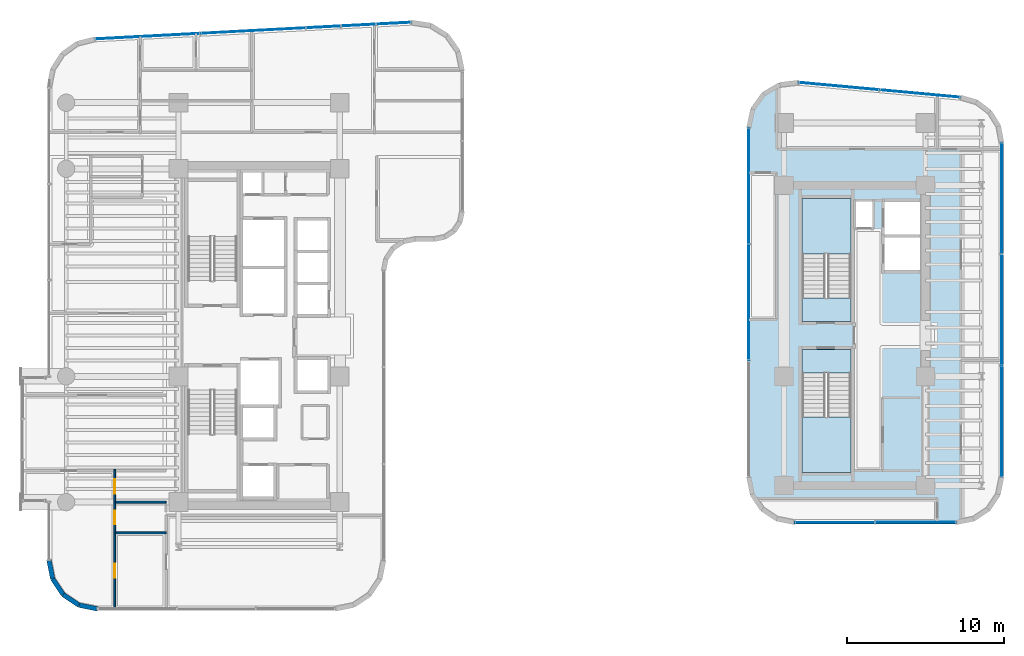
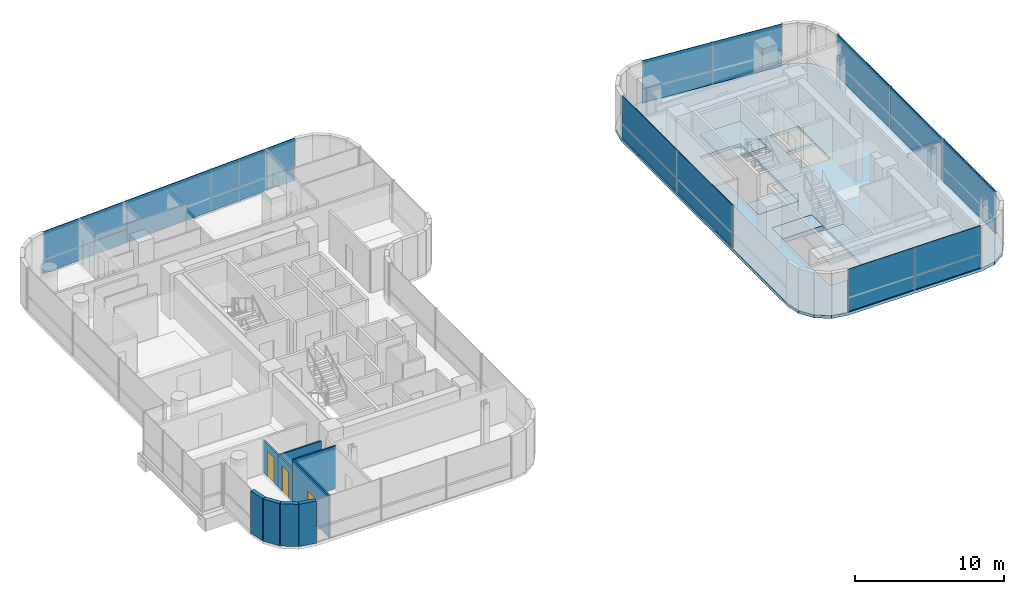
# One storey, part 25 of 34: 23 plates, 9 walls, 5 slabs, 3 doors, 3 openings, 7 elements without a shape of their own.
"""IFC4 building model written with IfcOpenShell, lengths in metres."""

from ifc_helpers import new_model, si_unit, direction, frame, frame_2d, origin, origin_2d, place, context, subcontext, project, spatial, polyline, rectangle, outline, extrude, source, transform, mapped, material, layer, layer_set, type_object, element, fill, aggregate, save


model = new_model("IFC4")

# Units and contexts
model_context = context("Model", 3, precision=1e-05, world=origin(), true_north=direction((0.0, 1.0)))
body_context = subcontext(model_context, "Body", "Model", "MODEL_VIEW")
ifc_project = project(units=[si_unit("LENGTHUNIT", "METRE"), si_unit("AREAUNIT", "SQUARE_METRE"), si_unit("VOLUMEUNIT", "CUBIC_METRE"), si_unit("PLANEANGLEUNIT", "RADIAN"), si_unit("MASSUNIT", "GRAM", prefix="KILO")], contexts=[model_context])

# Site, building, storey
site_placement = place(None, origin())
site = spatial("IfcSite", under=ifc_project, at=site_placement, CompositionType="ELEMENT")
building_placement = place(site_placement, origin())
building = spatial("IfcBuilding", under=site, at=building_placement, Name="Valdorenza Pilgrim Sanctuary Tower", CompositionType="ELEMENT")
storey_placement = place(building_placement, frame((0.0, 0.0, 164.89990234375)))
storey = spatial("IfcBuildingStorey", under=building, at=storey_placement, Name="L42", CompositionType="ELEMENT", Elevation=164.89990234375)

# Slab
ifc_material_1 = material(Name="Concrete C40/50", Category="concrete")
ifc_layer_1 = layer(ifc_material_1, 0.239990234375, Name="Concrete C40/50")
ifc_layer_set_1 = layer_set([ifc_layer_1], Name="Concrete C40/50")
slab_type_1 = type_object("IfcSlabType", Name="SLAB-FLR-220", PredefinedType="FLOOR", material=ifc_layer_set_1)
slab_1_placement = place(storey_placement, frame((0.0, 0.0, -0.239990234375)))
element("IfcSlab", 1, at=slab_1_placement, inside=storey, type_object=slab_type_1, Name="L42 Structural Floor Slab 2", PredefinedType="FLOOR", context=body_context, shape_type="SweptSolid", body=[
    extrude(outline(polyline([(13.5, 13.211181640625), (13.75537109375, 14.422607421875), (14.478271484375, 15.427490234375), (15.54541015625, 16.055419921875), (16.77490234375, 16.198486328125), (27.074951171875, 15.250732421875), (28.135986328125, 14.949462890625), (29.016357421875, 14.28515625), (29.59716796875, 13.34765625), (29.800048828125, 12.263427734375), (29.800048828125, -9.0), (29.571533203125, -10.148193359375), (28.92138671875, -11.121337890625), (27.947998046875, -11.771484375), (26.800048828125, -12.0), (16.5, -12.0), (15.351806640625, -11.771484375), (14.378662109375, -11.121337890625), (13.728515625, -10.148193359375), (13.5, -9.0), (13.5, 13.211181640625)]), holes=[polyline([(17.0, -8.699951171875), (20.110107421875, -8.699951171875), (20.110107421875, -2.385009765625), (20.110107421875, -0.89990234375), (17.0, -0.89990234375), (17.0, -2.385009765625), (17.0, -8.699951171875)]), polyline([(17.0, 0.89990234375), (20.110107421875, 0.89990234375), (20.110107421875, 2.385009765625), (20.110107421875, 8.699951171875), (17.0, 8.699951171875), (17.0, 2.385009765625), (17.0, 0.89990234375)]), polyline([(22.25, 4.14990234375), (24.47998046875, 4.14990234375), (24.47998046875, 6.22509765625), (22.25, 6.22509765625), (22.25, 4.14990234375)]), polyline([(22.25, 6.425048828125), (24.47998046875, 6.425048828125), (24.47998046875, 8.5), (22.25, 8.5), (22.25, 6.425048828125)]), polyline([(20.409912109375, 6.860107421875), (21.489990234375, 6.860107421875), (21.489990234375, 8.52001953125), (20.409912109375, 8.52001953125), (20.409912109375, 6.860107421875)])]), origin(), (0.0, 0.0, 1.0), 0.239990234375),
])

# Stair, slab
stair_type = type_object("IfcStairType", Name="STR-DOG-CORE", PredefinedType="HALF_TURN_STAIR", material=ifc_material_1)
stair_1_placement = place(storey_placement, origin())
stair_1 = element("IfcStair", 2, at=stair_1_placement, inside=storey, type_object=stair_type, Name="L42 ST-B1", PredefinedType="HALF_TURN_STAIR")
ifc_layer_2 = layer(ifc_material_1, 0.199951171875, Name="Concrete C40/50")
ifc_layer_set_2 = layer_set([ifc_layer_2], Name="Concrete C40/50")
slab_type_2 = type_object("IfcSlabType", Name="SLAB-STL-200", PredefinedType="LANDING", material=ifc_layer_set_2)
slab_2_placement = place(storey_placement, frame((0.0, 0.0, 1.650146484375)))
slab_2 = element("IfcSlab", 3, at=slab_2_placement, type_object=slab_type_2, Name="ST-B1 landing 1", PredefinedType="LANDING", context=body_context, shape_type="SweptSolid", body=[
    extrude(outline(polyline([(20.110107421875, 5.179931640625), (20.110107421875, 8.699951171875), (17.0, 8.699951171875), (17.0, 5.179931640625), (20.110107421875, 5.179931640625)])), origin(), (0.0, 0.0, 1.0), 0.199951171875),
])
aggregate(stair_1, [slab_2])

stair_2_placement = place(storey_placement, origin())
stair_2 = element("IfcStair", 4, at=stair_2_placement, inside=storey, type_object=stair_type, Name="L42 ST-B2", PredefinedType="HALF_TURN_STAIR")
slab_3_placement = place(storey_placement, frame((0.0, 0.0, 1.650146484375)))
slab_3 = element("IfcSlab", 5, at=slab_3_placement, type_object=slab_type_2, Name="ST-B2 landing 1", PredefinedType="LANDING", context=body_context, shape_type="SweptSolid", body=[
    extrude(outline(polyline([(17.0, -5.179931640625), (17.0, -8.699951171875), (20.110107421875, -8.699951171875), (20.110107421875, -5.179931640625), (17.0, -5.179931640625)])), origin(), (0.0, 0.0, 1.0), 0.199951171875),
])
aggregate(stair_2, [slab_3])

# Slabs
ifc_material_2 = material(Name="Concrete C50/60", Category="concrete")
ifc_layer_3 = layer(ifc_material_2, 0.39990234375, Name="Concrete C50/60")
ifc_layer_set_3 = layer_set([ifc_layer_3], Name="Concrete C50/60")
slab_type_3 = type_object("IfcSlabType", Name="SLAB-TRF-400", PredefinedType="FLOOR", material=ifc_layer_set_3)
slab_4_placement = place(storey_placement, frame((0.0, 0.0, -0.35986328125)))
element("IfcSlab", 6, at=slab_4_placement, inside=storey, type_object=slab_type_3, Name="L42 ST-B1 Structural Stair Landing Bearing Slab", PredefinedType="FLOOR", context=body_context, shape_type="SweptSolid", body=[
    extrude(outline(polyline([(17.0, 0.89990234375), (20.110107421875, 0.89990234375), (20.110107421875, 2.385009765625), (17.0, 2.385009765625), (17.0, 0.89990234375)])), origin(), (0.0, 0.0, 1.0), 0.35986328125),
])
slab_5_placement = place(storey_placement, frame((0.0, 0.0, -0.35986328125)))
element("IfcSlab", 7, at=slab_5_placement, inside=storey, type_object=slab_type_3, Name="L42 ST-B2 Structural Stair Landing Bearing Slab", PredefinedType="FLOOR", context=body_context, shape_type="SweptSolid", body=[
    extrude(outline(polyline([(17.0, -2.385009765625), (20.110107421875, -2.385009765625), (20.110107421875, -0.89990234375), (17.0, -0.89990234375), (17.0, -2.385009765625)])), origin(), (0.0, 0.0, 1.0), 0.35986328125),
])

# Curtain wall, plates
ifc_material_3 = material(Name="Curtain-wall IGU glazing", Category="glass")
curtain_wall_type_1 = type_object("IfcCurtainWallType", Name="CW-SYS-02", PredefinedType="NOTDEFINED", material=ifc_material_3)
curtain_wall_1_placement = place(storey_placement, origin())
curtain_wall_1 = element("IfcCurtainWall", 8, at=curtain_wall_1_placement, inside=storey, type_object=curtain_wall_type_1, Name="L42 Curtain Wall CW-L42-1-6", PredefinedType="NOTDEFINED")
ifc_material_4 = material(Name="Honed travertine limestone", Category="masonry")
ifc_layer_4 = layer(ifc_material_4, 0.050048828125, Name="Honed travertine limestone")
ifc_layer_set_4 = layer_set([ifc_layer_4], Name="Honed travertine limestone")
plate_type_1 = type_object("IfcPlateType", Name="CW-SPN-TRV", PredefinedType="USERDEFINED", material=ifc_layer_set_4)
shared_shape_1 = source(origin(), body_context, "Body", "SweptSolid", [
    extrude(rectangle(XDim=6.68212890625, YDim=0.06005859375, at=origin_2d()), origin(), (0.0, 0.0, 1.0), 1.10009765625),
])
plate_1_placement = place(storey_placement, frame((-24.606201171875, 19.027587890625, 0.010009765625), z_axis=(0.0, 0.0, 1.0), x_axis=(0.998607524712, 0.052754256601, 0.0)))
plate_1 = element("IfcPlate", 9, at=plate_1_placement, type_object=plate_type_1, Name="CW-L42-1-6 Travertine Spandrel 1", ObjectType="SPANDREL", PredefinedType="USERDEFINED", context=body_context, shape_type="MappedRepresentation", body=[
    mapped(shared_shape_1, transform((0.0, 0.0, 0.0), x_axis=(1.0, 0.0, 0.0), y_axis=(0.0, 1.0, 0.0), z_axis=(0.0, 0.0, 1.0), scale=1.0)),
])
ifc_material_5 = material(Name="Ceramic-fritted low-E IGU glazing", Category="glass")
ifc_layer_5 = layer(ifc_material_5, 0.035888671875, Name="Ceramic-fritted low-E IGU glazing")
ifc_layer_set_5 = layer_set([ifc_layer_5], Name="Ceramic-fritted low-E IGU glazing")
plate_type_2 = type_object("IfcPlateType", Name="CW-GLZ-IGU", PredefinedType="USERDEFINED", material=ifc_layer_set_5)
shared_shape_2 = source(origin(), body_context, "Body", "SweptSolid", [
    extrude(rectangle(XDim=6.68212890625, YDim=0.050048828125, at=origin_2d()), origin(), (0.0, 0.0, 1.0), 2.320068359375),
])
plate_2_placement = place(storey_placement, frame((-24.606201171875, 19.027587890625, 1.1298828125), z_axis=(0.0, 0.0, 1.0), x_axis=(0.998607524712, 0.052754256601, 0.0)))
plate_2 = element("IfcPlate", 10, at=plate_2_placement, type_object=plate_type_2, Name="CW-L42-1-6 Facade Panel 1", ObjectType="GLAZING", PredefinedType="USERDEFINED", context=body_context, shape_type="MappedRepresentation", body=[
    mapped(shared_shape_2, transform((0.0, 0.0, 0.0), x_axis=(1.0, 0.0, 0.0), y_axis=(0.0, 1.0, 0.0), z_axis=(0.0, 0.0, 1.0), scale=1.0)),
])
shared_shape_3 = source(origin(), body_context, "Body", "SweptSolid", [
    extrude(rectangle(XDim=6.68212890625, YDim=0.050048828125, at=origin_2d()), origin(), (0.0, 0.0, 1.0), 3.43994140625),
])
plate_3_placement = place(storey_placement, frame((-17.913330078125, 19.381103515625, 0.010009765625), z_axis=(0.0, 0.0, 1.0), x_axis=(0.998607524712, 0.052754256601, 0.0)))
plate_3 = element("IfcPlate", 11, at=plate_3_placement, type_object=plate_type_2, Name="CW-L42-1-6 Full-Height Facade Panel 2", ObjectType="GLAZING", PredefinedType="USERDEFINED", context=body_context, shape_type="MappedRepresentation", body=[
    mapped(shared_shape_3, transform((0.0, 0.0, 0.0), x_axis=(1.0, 0.0, 0.0), y_axis=(0.0, 1.0, 0.0), z_axis=(0.0, 0.0, 1.0), scale=1.0)),
])

curtain_wall_type_2 = type_object("IfcCurtainWallType", Name="CW-SYS-03", PredefinedType="NOTDEFINED", material=ifc_material_3)
curtain_wall_2_placement = place(storey_placement, origin())
curtain_wall_2 = element("IfcCurtainWall", 12, at=curtain_wall_2_placement, inside=storey, type_object=curtain_wall_type_2, Name="L42 Curtain Wall CW-L42-2-1", PredefinedType="NOTDEFINED")
shared_shape_4 = source(origin(), body_context, "Body", "SweptSolid", [
    extrude(rectangle(XDim=7.376220703125, YDim=0.06005859375, at=origin_2d()), origin(), (0.0, 0.0, 1.0), 1.10009765625),
])
plate_4_placement = place(storey_placement, frame((13.610107421875, 9.501708984375, 0.010009765625), z_axis=(0.0, 0.0, 1.0), x_axis=(0.0, 1.0, 0.0)))
plate_4 = element("IfcPlate", 13, at=plate_4_placement, type_object=plate_type_1, Name="CW-L42-2-1 Travertine Spandrel 3", ObjectType="SPANDREL", PredefinedType="USERDEFINED", context=body_context, shape_type="MappedRepresentation", body=[
    mapped(shared_shape_4, transform((0.0, 0.0, 0.0), x_axis=(1.0, 0.0, 0.0), y_axis=(0.0, 1.0, 0.0), z_axis=(0.0, 0.0, 1.0), scale=1.0)),
])
shared_shape_5 = source(origin(), body_context, "Body", "SweptSolid", [
    extrude(rectangle(XDim=7.376220703125, YDim=0.050048828125, at=origin_2d()), origin(), (0.0, 0.0, 1.0), 2.320068359375),
])
plate_5_placement = place(storey_placement, frame((13.610107421875, 9.501708984375, 1.1298828125), z_axis=(0.0, 0.0, 1.0), x_axis=(0.0, 1.0, 0.0)))
plate_5 = element("IfcPlate", 14, at=plate_5_placement, type_object=plate_type_2, Name="CW-L42-2-1 Facade Panel 3", ObjectType="GLAZING", PredefinedType="USERDEFINED", context=body_context, shape_type="MappedRepresentation", body=[
    mapped(shared_shape_5, transform((0.0, 0.0, 0.0), x_axis=(1.0, 0.0, 0.0), y_axis=(0.0, 1.0, 0.0), z_axis=(0.0, 0.0, 1.0), scale=1.0)),
])
shared_shape_6 = source(origin(), body_context, "Body", "SweptSolid", [
    extrude(rectangle(XDim=7.376220703125, YDim=0.050048828125, at=origin_2d()), origin(), (0.0, 0.0, 1.0), 3.43994140625),
])
plate_6_placement = place(storey_placement, frame((13.610107421875, 2.105224609375, 0.010009765625), z_axis=(0.0, 0.0, 1.0), x_axis=(0.0, 1.0, 0.0)))
plate_6 = element("IfcPlate", 15, at=plate_6_placement, type_object=plate_type_2, Name="CW-L42-2-1 Full-Height Facade Panel 2", ObjectType="GLAZING", PredefinedType="USERDEFINED", context=body_context, shape_type="MappedRepresentation", body=[
    mapped(shared_shape_6, transform((0.0, 0.0, 0.0), x_axis=(1.0, 0.0, 0.0), y_axis=(0.0, 1.0, 0.0), z_axis=(0.0, 0.0, 1.0), scale=1.0)),
])
aggregate(curtain_wall_2, [plate_6, plate_4, plate_5])

curtain_wall_3_placement = place(storey_placement, origin())
curtain_wall_3 = element("IfcCurtainWall", 16, at=curtain_wall_3_placement, inside=storey, type_object=curtain_wall_type_2, Name="L42 Curtain Wall CW-L42-2-6", PredefinedType="NOTDEFINED")
shared_shape_7 = source(origin(), body_context, "Body", "SweptSolid", [
    extrude(rectangle(XDim=5.14111328125, YDim=0.06005859375, at=origin_2d()), origin(), (0.0, 0.0, 1.0), 1.10009765625),
])
plate_7_placement = place(storey_placement, frame((19.345703125, 15.8515625, 0.010009765625), z_axis=(0.0, 0.0, 1.0), x_axis=(0.995793741111, -0.091623278503, 0.0)))
plate_7 = element("IfcPlate", 17, at=plate_7_placement, type_object=plate_type_1, Name="CW-L42-2-6 Travertine Spandrel 1", ObjectType="SPANDREL", PredefinedType="USERDEFINED", context=body_context, shape_type="MappedRepresentation", body=[
    mapped(shared_shape_7, transform((0.0, 0.0, 0.0), x_axis=(1.0, 0.0, 0.0), y_axis=(0.0, 1.0, 0.0), z_axis=(0.0, 0.0, 1.0), scale=1.0)),
])
shared_shape_8 = source(origin(), body_context, "Body", "SweptSolid", [
    extrude(rectangle(XDim=5.14111328125, YDim=0.050048828125, at=origin_2d()), origin(), (0.0, 0.0, 1.0), 2.320068359375),
])
plate_8_placement = place(storey_placement, frame((19.345703125, 15.8515625, 1.1298828125), z_axis=(0.0, 0.0, 1.0), x_axis=(0.995793741111, -0.091623278503, 0.0)))
plate_8 = element("IfcPlate", 18, at=plate_8_placement, type_object=plate_type_2, Name="CW-L42-2-6 Facade Panel 1", ObjectType="GLAZING", PredefinedType="USERDEFINED", context=body_context, shape_type="MappedRepresentation", body=[
    mapped(shared_shape_8, transform((0.0, 0.0, 0.0), x_axis=(1.0, 0.0, 0.0), y_axis=(0.0, 1.0, 0.0), z_axis=(0.0, 0.0, 1.0), scale=1.0)),
])
shared_shape_9 = source(origin(), body_context, "Body", "SweptSolid", [
    extrude(rectangle(XDim=5.14111328125, YDim=0.050048828125, at=origin_2d()), origin(), (0.0, 0.0, 1.0), 3.43994140625),
])
plate_9_placement = place(storey_placement, frame((24.485107421875, 15.378662109375, 0.010009765625), z_axis=(0.0, 0.0, 1.0), x_axis=(0.995793741111, -0.091623278503, 0.0)))
plate_9 = element("IfcPlate", 19, at=plate_9_placement, type_object=plate_type_2, Name="CW-L42-2-6 Full-Height Facade Panel 2", ObjectType="GLAZING", PredefinedType="USERDEFINED", context=body_context, shape_type="MappedRepresentation", body=[
    mapped(shared_shape_9, transform((0.0, 0.0, 0.0), x_axis=(1.0, 0.0, 0.0), y_axis=(0.0, 1.0, 0.0), z_axis=(0.0, 0.0, 1.0), scale=1.0)),
])
aggregate(curtain_wall_3, [plate_7, plate_8, plate_9])

curtain_wall_4_placement = place(storey_placement, origin())
curtain_wall_4 = element("IfcCurtainWall", 20, at=curtain_wall_4_placement, inside=storey, type_object=curtain_wall_type_2, Name="L42 Curtain Wall CW-L42-2-11", PredefinedType="NOTDEFINED")
shared_shape_10 = source(origin(), body_context, "Body", "SweptSolid", [
    extrude(rectangle(XDim=7.060791015625, YDim=0.06005859375, at=origin_2d()), origin(), (0.0, 0.0, 1.0), 1.10009765625),
])
plate_10_placement = place(storey_placement, frame((29.68994140625, 8.712890625, 0.010009765625), z_axis=(0.0, 0.0, 1.0), x_axis=(0.0, -1.0, 0.0)))
plate_10 = element("IfcPlate", 21, at=plate_10_placement, type_object=plate_type_1, Name="CW-L42-2-11 Travertine Spandrel 1", ObjectType="SPANDREL", PredefinedType="USERDEFINED", context=body_context, shape_type="MappedRepresentation", body=[
    mapped(shared_shape_10, transform((0.0, 0.0, 0.0), x_axis=(1.0, 0.0, 0.0), y_axis=(0.0, 1.0, 0.0), z_axis=(0.0, 0.0, 1.0), scale=1.0)),
])
plate_11_placement = place(storey_placement, frame((29.68994140625, -5.44873046875, 0.010009765625), z_axis=(0.0, 0.0, 1.0), x_axis=(0.0, -1.0, 0.0)))
plate_11 = element("IfcPlate", 22, at=plate_11_placement, type_object=plate_type_1, Name="CW-L42-2-11 Travertine Spandrel 3", ObjectType="SPANDREL", PredefinedType="USERDEFINED", context=body_context, shape_type="MappedRepresentation", body=[
    mapped(shared_shape_10, transform((0.0, 0.0, 0.0), x_axis=(1.0, 0.0, 0.0), y_axis=(0.0, 1.0, 0.0), z_axis=(0.0, 0.0, 1.0), scale=1.0)),
])
shared_shape_11 = source(origin(), body_context, "Body", "SweptSolid", [
    extrude(rectangle(XDim=7.060791015625, YDim=0.050048828125, at=origin_2d()), origin(), (0.0, 0.0, 1.0), 2.320068359375),
])
plate_12_placement = place(storey_placement, frame((29.68994140625, 8.712890625, 1.1298828125), z_axis=(0.0, 0.0, 1.0), x_axis=(0.0, -1.0, 0.0)))
plate_12 = element("IfcPlate", 23, at=plate_12_placement, type_object=plate_type_2, Name="CW-L42-2-11 Facade Panel 1", ObjectType="GLAZING", PredefinedType="USERDEFINED", context=body_context, shape_type="MappedRepresentation", body=[
    mapped(shared_shape_11, transform((0.0, 0.0, 0.0), x_axis=(1.0, 0.0, 0.0), y_axis=(0.0, 1.0, 0.0), z_axis=(0.0, 0.0, 1.0), scale=1.0)),
])
plate_13_placement = place(storey_placement, frame((29.68994140625, -5.44873046875, 1.1298828125), z_axis=(0.0, 0.0, 1.0), x_axis=(0.0, -1.0, 0.0)))
plate_13 = element("IfcPlate", 24, at=plate_13_placement, type_object=plate_type_2, Name="CW-L42-2-11 Facade Panel 3", ObjectType="GLAZING", PredefinedType="USERDEFINED", context=body_context, shape_type="MappedRepresentation", body=[
    mapped(shared_shape_11, transform((0.0, 0.0, 0.0), x_axis=(1.0, 0.0, 0.0), y_axis=(0.0, 1.0, 0.0), z_axis=(0.0, 0.0, 1.0), scale=1.0)),
])
shared_shape_12 = source(origin(), body_context, "Body", "SweptSolid", [
    extrude(rectangle(XDim=7.060791015625, YDim=0.050048828125, at=origin_2d()), origin(), (0.0, 0.0, 1.0), 3.43994140625),
])
plate_14_placement = place(storey_placement, frame((29.68994140625, 1.632080078125, 0.010009765625), z_axis=(0.0, 0.0, 1.0), x_axis=(0.0, -1.0, 0.0)))
plate_14 = element("IfcPlate", 25, at=plate_14_placement, type_object=plate_type_2, Name="CW-L42-2-11 Full-Height Facade Panel 2", ObjectType="GLAZING", PredefinedType="USERDEFINED", context=body_context, shape_type="MappedRepresentation", body=[
    mapped(shared_shape_12, transform((0.0, 0.0, 0.0), x_axis=(1.0, 0.0, 0.0), y_axis=(0.0, 1.0, 0.0), z_axis=(0.0, 0.0, 1.0), scale=1.0)),
])
aggregate(curtain_wall_4, [plate_10, plate_12, plate_14, plate_11, plate_13])

curtain_wall_5_placement = place(storey_placement, origin())
curtain_wall_5 = element("IfcCurtainWall", 26, at=curtain_wall_5_placement, inside=storey, type_object=curtain_wall_type_2, Name="L42 Curtain Wall CW-L42-2-16", PredefinedType="NOTDEFINED")
shared_shape_13 = source(origin(), body_context, "Body", "SweptSolid", [
    extrude(rectangle(XDim=5.119140625, YDim=0.06005859375, at=origin_2d()), origin(), (0.0, 0.0, 1.0), 1.10009765625),
])
plate_15_placement = place(storey_placement, frame((24.219482421875, -11.889892578125, 0.010009765625), z_axis=(0.0, 0.0, 1.0), x_axis=(-1.0, 0.0, 0.0)))
plate_15 = element("IfcPlate", 27, at=plate_15_placement, type_object=plate_type_1, Name="CW-L42-2-16 Travertine Spandrel 1", ObjectType="SPANDREL", PredefinedType="USERDEFINED", context=body_context, shape_type="MappedRepresentation", body=[
    mapped(shared_shape_13, transform((0.0, 0.0, 0.0), x_axis=(1.0, 0.0, 0.0), y_axis=(0.0, 1.0, 0.0), z_axis=(0.0, 0.0, 1.0), scale=1.0)),
])
shared_shape_14 = source(origin(), body_context, "Body", "SweptSolid", [
    extrude(rectangle(XDim=5.119140625, YDim=0.050048828125, at=origin_2d()), origin(), (0.0, 0.0, 1.0), 2.320068359375),
])
plate_16_placement = place(storey_placement, frame((24.219482421875, -11.889892578125, 1.1298828125), z_axis=(0.0, 0.0, 1.0), x_axis=(-1.0, 0.0, 0.0)))
plate_16 = element("IfcPlate", 28, at=plate_16_placement, type_object=plate_type_2, Name="CW-L42-2-16 Facade Panel 1", ObjectType="GLAZING", PredefinedType="USERDEFINED", context=body_context, shape_type="MappedRepresentation", body=[
    mapped(shared_shape_14, transform((0.0, 0.0, 0.0), x_axis=(1.0, 0.0, 0.0), y_axis=(0.0, 1.0, 0.0), z_axis=(0.0, 0.0, 1.0), scale=1.0)),
])
shared_shape_15 = source(origin(), body_context, "Body", "SweptSolid", [
    extrude(rectangle(XDim=5.119140625, YDim=0.050048828125, at=origin_2d()), origin(), (0.0, 0.0, 1.0), 3.43994140625),
])
plate_17_placement = place(storey_placement, frame((19.080322265625, -11.889892578125, 0.010009765625), z_axis=(0.0, 0.0, 1.0), x_axis=(-1.0, 0.0, 0.0)))
plate_17 = element("IfcPlate", 29, at=plate_17_placement, type_object=plate_type_2, Name="CW-L42-2-16 Full-Height Facade Panel 2", ObjectType="GLAZING", PredefinedType="USERDEFINED", context=body_context, shape_type="MappedRepresentation", body=[
    mapped(shared_shape_15, transform((0.0, 0.0, 0.0), x_axis=(1.0, 0.0, 0.0), y_axis=(0.0, 1.0, 0.0), z_axis=(0.0, 0.0, 1.0), scale=1.0)),
])
aggregate(curtain_wall_5, [plate_15, plate_16, plate_17])

# Plate
shared_shape_16 = source(origin(), body_context, "Body", "SweptSolid", [
    extrude(rectangle(XDim=2.20751953125, YDim=0.050048828125, at=origin_2d()), origin(), (0.0, 0.0, 1.0), 2.320068359375),
])
plate_18_placement = place(storey_placement, frame((-13.44482421875, 19.6171875, 1.1298828125), z_axis=(0.0, 0.0, 1.0), x_axis=(0.998607524712, 0.052754256601, 0.0)))
plate_18 = element("IfcPlate", 30, at=plate_18_placement, type_object=plate_type_2, Name="CW-L42-1-6 Facade Panel 3 Sub 1", ObjectType="GLAZING", PredefinedType="USERDEFINED", context=body_context, shape_type="MappedRepresentation", body=[
    mapped(shared_shape_16, transform((0.0, 0.0, 0.0), x_axis=(1.0, 0.0, 0.0), y_axis=(0.0, 1.0, 0.0), z_axis=(0.0, 0.0, 1.0), scale=1.0)),
])

plate_19_placement = place(storey_placement, frame((-11.220703125, 19.73486328125, 1.1298828125), z_axis=(0.0, 0.0, 1.0), x_axis=(0.998607524712, 0.052754256601, 0.0)))
plate_19 = element("IfcPlate", 31, at=plate_19_placement, type_object=plate_type_2, Name="CW-L42-1-6 Facade Panel 3 Sub 2", ObjectType="GLAZING", PredefinedType="USERDEFINED", context=body_context, shape_type="MappedRepresentation", body=[
    mapped(shared_shape_16, transform((0.0, 0.0, 0.0), x_axis=(1.0, 0.0, 0.0), y_axis=(0.0, 1.0, 0.0), z_axis=(0.0, 0.0, 1.0), scale=1.0)),
])

plate_20_placement = place(storey_placement, frame((-8.996337890625, 19.852294921875, 1.1298828125), z_axis=(0.0, 0.0, 1.0), x_axis=(0.998607524712, 0.052754256601, 0.0)))
plate_20 = element("IfcPlate", 32, at=plate_20_placement, type_object=plate_type_2, Name="CW-L42-1-6 Facade Panel 3 Sub 3", ObjectType="GLAZING", PredefinedType="USERDEFINED", context=body_context, shape_type="MappedRepresentation", body=[
    mapped(shared_shape_16, transform((0.0, 0.0, 0.0), x_axis=(1.0, 0.0, 0.0), y_axis=(0.0, 1.0, 0.0), z_axis=(0.0, 0.0, 1.0), scale=1.0)),
])

shared_shape_17 = source(origin(), body_context, "Body", "SweptSolid", [
    extrude(rectangle(XDim=2.20751953125, YDim=0.06005859375, at=origin_2d()), origin(), (0.0, 0.0, 1.0), 1.10009765625),
])
plate_21_placement = place(storey_placement, frame((-13.44482421875, 19.6171875, 0.010009765625), z_axis=(0.0, 0.0, 1.0), x_axis=(0.998607524712, 0.052754256601, 0.0)))
plate_21 = element("IfcPlate", 33, at=plate_21_placement, type_object=plate_type_1, Name="CW-L42-1-6 Travertine Spandrel 3 Sub 1", ObjectType="SPANDREL", PredefinedType="USERDEFINED", context=body_context, shape_type="MappedRepresentation", body=[
    mapped(shared_shape_17, transform((0.0, 0.0, 0.0), x_axis=(1.0, 0.0, 0.0), y_axis=(0.0, 1.0, 0.0), z_axis=(0.0, 0.0, 1.0), scale=1.0)),
])

plate_22_placement = place(storey_placement, frame((-11.220703125, 19.73486328125, 0.010009765625), z_axis=(0.0, 0.0, 1.0), x_axis=(0.998607524712, 0.052754256601, 0.0)))
plate_22 = element("IfcPlate", 34, at=plate_22_placement, type_object=plate_type_1, Name="CW-L42-1-6 Travertine Spandrel 3 Sub 2", ObjectType="SPANDREL", PredefinedType="USERDEFINED", context=body_context, shape_type="MappedRepresentation", body=[
    mapped(shared_shape_17, transform((0.0, 0.0, 0.0), x_axis=(1.0, 0.0, 0.0), y_axis=(0.0, 1.0, 0.0), z_axis=(0.0, 0.0, 1.0), scale=1.0)),
])

plate_23_placement = place(storey_placement, frame((-8.996337890625, 19.852294921875, 0.010009765625), z_axis=(0.0, 0.0, 1.0), x_axis=(0.998607524712, 0.052754256601, 0.0)))
plate_23 = element("IfcPlate", 35, at=plate_23_placement, type_object=plate_type_1, Name="CW-L42-1-6 Travertine Spandrel 3 Sub 3", ObjectType="SPANDREL", PredefinedType="USERDEFINED", context=body_context, shape_type="MappedRepresentation", body=[
    mapped(shared_shape_17, transform((0.0, 0.0, 0.0), x_axis=(1.0, 0.0, 0.0), y_axis=(0.0, 1.0, 0.0), z_axis=(0.0, 0.0, 1.0), scale=1.0)),
])

aggregate(curtain_wall_1, [plate_1, plate_2, plate_3, plate_18, plate_21, plate_19, plate_22, plate_20, plate_23])

# Walls
ifc_layer_6 = layer(ifc_material_4, 0.300048828125, Name="Honed travertine limestone")
ifc_layer_set_6 = layer_set([ifc_layer_6], Name="Honed travertine limestone")
wall_type_1 = type_object("IfcWallType", Name="WAL-EXT-300", PredefinedType="SOLIDWALL", material=ifc_layer_set_6)
wall_1_placement = place(storey_placement, frame((-27.789306640625, -17.389892578125, 0.0), z_axis=(0.0, 0.0, 1.0), x_axis=(-0.980804027463, 0.194996050505, 0.0)))
element("IfcWall", 36, at=wall_1_placement, inside=storey, type_object=wall_type_1, Name="L42 Rounded Wind-Corner Stone Pier 27", PredefinedType="SOLIDWALL", context=body_context, shape_type="SweptSolid", body=[
    extrude(rectangle(XDim=1.2158203125, YDim=0.300048828125, at=frame_2d((0.60791015625, 0.0))), origin(), (0.0, 0.0, 1.0), 3.460205078125),
])
for number, where, z_axis, x_axis, name in (
    (37, (-28.981689453125, -17.15283203125, 0.0), (0.0, 0.0, 1.0), (-0.831426265255, 0.555635100982, 0.0), "L42 Rounded Wind-Corner Stone Pier 28"),
    (38, (-29.9833984375, -16.4833984375, 0.0), (0.0, 0.0, 1.0), (-0.555635100982, 0.831426265255, 0.0), "L42 Rounded Wind-Corner Stone Pier 29"),
):
    element("IfcWall", number, at=place(storey_placement, frame(where, z_axis=z_axis, x_axis=x_axis)), inside=storey, type_object=wall_type_1, Name=name, PredefinedType="SOLIDWALL", context=body_context, shape_type="SweptSolid", body=[
        extrude(rectangle(XDim=1.204833984375, YDim=0.300048828125, at=frame_2d((0.6025390625, 0.0))), origin(), (0.0, 0.0, 1.0), 3.460205078125),
    ])
wall_2_placement = place(storey_placement, frame((-30.65283203125, -15.481689453125, 0.0), z_axis=(0.0, 0.0, 1.0), x_axis=(-0.194996050505, 0.980804027463, 0.0)))
element("IfcWall", 39, at=wall_2_placement, inside=storey, type_object=wall_type_1, Name="L42 Rounded Wind-Corner Stone Pier 30", PredefinedType="SOLIDWALL", context=body_context, shape_type="SweptSolid", body=[
    extrude(rectangle(XDim=1.2158203125, YDim=0.300048828125, at=frame_2d((0.60791015625, 0.0))), origin(), (0.0, 0.0, 1.0), 3.460205078125),
])
ifc_material_6 = material(Name="Moisture-resistant gypsum partition", Category="gypsum")
ifc_layer_7 = layer(ifc_material_6, 0.1201171875, Name="Moisture-resistant gypsum partition")
ifc_layer_set_7 = layer_set([ifc_layer_7], Name="Moisture-resistant gypsum partition")
wall_type_2 = type_object("IfcWallType", Name="WAL-INT-120", PredefinedType="PARTITIONING", material=ifc_layer_set_7)
wall_3_placement = place(storey_placement, frame((-26.70849609375, -10.60009765625, 0.0), z_axis=(0.0, 0.0, 1.0), x_axis=(1.0, 0.0, 0.0)))
element("IfcWall", 40, at=wall_3_placement, inside=storey, type_object=wall_type_2, Name="L42 Sanctuary Apartment L42-CS1 Bath-Kitchen Wall", PredefinedType="PARTITIONING", context=body_context, shape_type="SweptSolid", body=[
    extrude(rectangle(XDim=3.258544921875, YDim=0.1201171875, at=frame_2d((1.62939453125, 0.0))), origin(), (0.0, 0.0, 1.0), 2.666015625),
])
wall_4_placement = place(storey_placement, frame((-26.70849609375, -12.550048828125, 0.0), z_axis=(0.0, 0.0, 1.0), x_axis=(1.0, 0.0, 0.0)))
element("IfcWall", 41, at=wall_4_placement, inside=storey, type_object=wall_type_2, Name="L42 Sanctuary Apartment L42-CS1 Kitchen-Bedroom Wall", PredefinedType="PARTITIONING", context=body_context, shape_type="SweptSolid", body=[
    extrude(rectangle(XDim=3.258544921875, YDim=0.1201171875, at=frame_2d((1.62939453125, 0.0))), origin(), (0.0, 0.0, 1.0), 3.460205078125),
])

# Wall, opening, door
wall_5_placement = place(storey_placement, frame((-26.70849609375, -12.550048828125, 0.0), z_axis=(0.0, 0.0, 1.0), x_axis=(0.0, 1.0, 0.0)))
wall_5 = element("IfcWall", 42, at=wall_5_placement, inside=storey, type_object=wall_type_2, Name="L42 Sanctuary Apartment L42-CS1 Bathroom Door Wall", PredefinedType="PARTITIONING", context=body_context, shape_type="SweptSolid", body=[
    extrude(rectangle(XDim=1.949951171875, YDim=0.1201171875, at=frame_2d((0.97509765625, 0.0))), origin(), (0.0, 0.0, 1.0), 2.666015625),
])
opening_1_placement = place(wall_5_placement, frame((0.550048828125, 0.0, 0.0)))
opening_1 = element("IfcOpeningElement", 43, at=opening_1_placement, cuts=wall_5, Name="Opening DR-WC1", PredefinedType="OPENING", context=body_context, shape_type="SweptSolid", body=[
    extrude(rectangle(XDim=0.85009765625, YDim=2.10009765625, at=frame_2d((0.425048828125, 1.050048828125))), frame((0.0, 0.074951171875, 0.0), z_axis=(0.0, -1.0, 0.0), x_axis=(1.0, 0.0, 0.0)), (0.0, 0.0, 1.0), 0.14990234375),
])
ifc_material_7 = material(Name="Moisture-resistant lacquered timber", Category="wood")
door_type_1 = type_object("IfcDoorType", Name="DR-BATH-850", OperationType="NOTDEFINED", PredefinedType="DOOR", material=ifc_material_7)
door_1_placement = place(opening_1_placement, origin())
door_1 = element("IfcDoor", 44, at=door_1_placement, inside=storey, type_object=door_type_1, Name="L42 Sanctuary Apartment L42-CS1 Bathroom Door", OperationType="SINGLE_SWING_RIGHT", OverallHeight=2.10009765625, OverallWidth=0.85009765625, PredefinedType="DOOR", context=body_context, shape_type="SweptSolid", body=[
    extrude(rectangle(XDim=0.85009765625, YDim=2.10009765625, at=frame_2d((0.425048828125, 1.050048828125))), frame((0.0, 0.02490234375, 0.0), z_axis=(0.0, -1.0, 0.0), x_axis=(1.0, 0.0, 0.0)), (0.0, 0.0, 1.0), 0.050048828125),
])
fill(opening_1, door_1)

wall_6_placement = place(storey_placement, frame((-26.70849609375, -10.60009765625, 0.0), z_axis=(0.0, 0.0, 1.0), x_axis=(0.0, 1.0, 0.0)))
wall_6 = element("IfcWall", 45, at=wall_6_placement, inside=storey, type_object=wall_type_2, Name="L42 Sanctuary Apartment L42-CS1 Kitchen Door Wall", PredefinedType="PARTITIONING", context=body_context, shape_type="SweptSolid", body=[
    extrude(rectangle(XDim=2.080078125, YDim=0.1201171875, at=frame_2d((1.0400390625, 0.0))), origin(), (0.0, 0.0, 1.0), 2.666015625),
])
opening_2_placement = place(wall_6_placement, frame((0.550048828125, 0.0, 0.0)))
opening_2 = element("IfcOpeningElement", 46, at=opening_2_placement, cuts=wall_6, Name="Opening DR-RM1", PredefinedType="OPENING", context=body_context, shape_type="SweptSolid", body=[
    extrude(rectangle(XDim=0.89990234375, YDim=2.10009765625, at=frame_2d((0.449951171875, 1.050048828125))), frame((0.0, 0.074951171875, 0.0), z_axis=(0.0, -1.0, 0.0), x_axis=(1.0, 0.0, 0.0)), (0.0, 0.0, 1.0), 0.14990234375),
])
ifc_material_8 = material(Name="Solid-core European oak timber", Category="wood")
door_type_2 = type_object("IfcDoorType", Name="DR-ROOM-900", OperationType="NOTDEFINED", PredefinedType="DOOR", material=ifc_material_8)
door_2_placement = place(opening_2_placement, origin())
door_2 = element("IfcDoor", 47, at=door_2_placement, inside=storey, type_object=door_type_2, Name="L42 Sanctuary Apartment L42-CS1 Kitchen Door", OperationType="SINGLE_SWING_LEFT", OverallHeight=2.10009765625, OverallWidth=0.89990234375, PredefinedType="DOOR", context=body_context, shape_type="SweptSolid", body=[
    extrude(rectangle(XDim=0.89990234375, YDim=2.10009765625, at=frame_2d((0.449951171875, 1.050048828125))), frame((0.0, 0.02490234375, 0.0), z_axis=(0.0, -1.0, 0.0), x_axis=(1.0, 0.0, 0.0)), (0.0, 0.0, 1.0), 0.050048828125),
])
fill(opening_2, door_2)

wall_7_placement = place(storey_placement, frame((-26.70849609375, -17.389892578125, 0.0), z_axis=(0.0, 0.0, 1.0), x_axis=(0.0, 1.0, 0.0)))
wall_7 = element("IfcWall", 48, at=wall_7_placement, inside=storey, type_object=wall_type_2, Name="L42 Sanctuary Apartment L42-CS1 Bedroom Door Wall", PredefinedType="PARTITIONING", context=body_context, shape_type="SweptSolid", body=[
    extrude(rectangle(XDim=4.83984375, YDim=0.1201171875, at=frame_2d((2.419921875, 0.0))), origin(), (0.0, 0.0, 1.0), 3.460205078125),
])
opening_3_placement = place(wall_7_placement, frame((1.969970703125, 0.0, 0.0)))
opening_3 = element("IfcOpeningElement", 49, at=opening_3_placement, cuts=wall_7, Name="Opening DR-RM1", PredefinedType="OPENING", context=body_context, shape_type="SweptSolid", body=[
    extrude(rectangle(XDim=0.89990234375, YDim=2.10009765625, at=frame_2d((0.449951171875, 1.050048828125))), frame((0.0, 0.074951171875, 0.0), z_axis=(0.0, -1.0, 0.0), x_axis=(1.0, 0.0, 0.0)), (0.0, 0.0, 1.0), 0.14990234375),
])
door_3_placement = place(opening_3_placement, origin())
door_3 = element("IfcDoor", 50, at=door_3_placement, inside=storey, type_object=door_type_2, Name="L42 Sanctuary Apartment L42-CS1 Bedroom Door", OperationType="SINGLE_SWING_RIGHT", OverallHeight=2.10009765625, OverallWidth=0.89990234375, PredefinedType="DOOR", context=body_context, shape_type="SweptSolid", body=[
    extrude(rectangle(XDim=0.89990234375, YDim=2.10009765625, at=frame_2d((0.449951171875, 1.050048828125))), frame((0.0, 0.02490234375, 0.0), z_axis=(0.0, -1.0, 0.0), x_axis=(1.0, 0.0, 0.0)), (0.0, 0.0, 1.0), 0.050048828125),
])
fill(opening_3, door_3)

save(model, "model.ifc")
